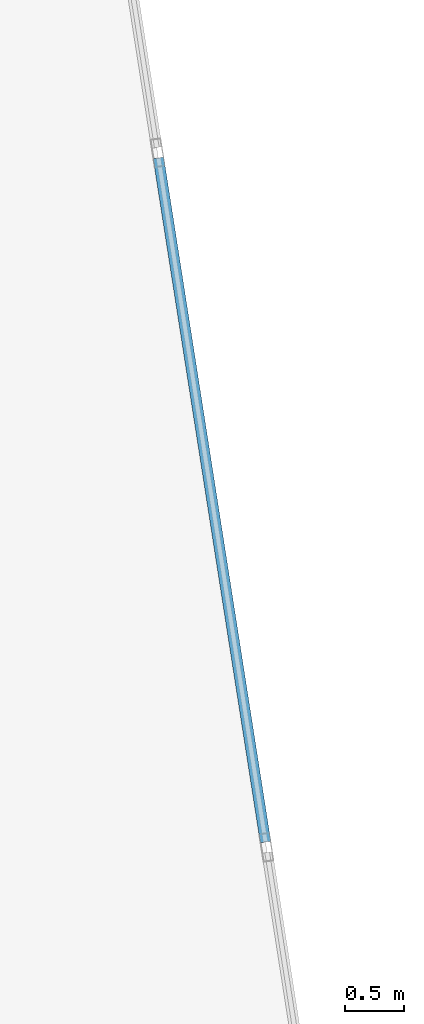
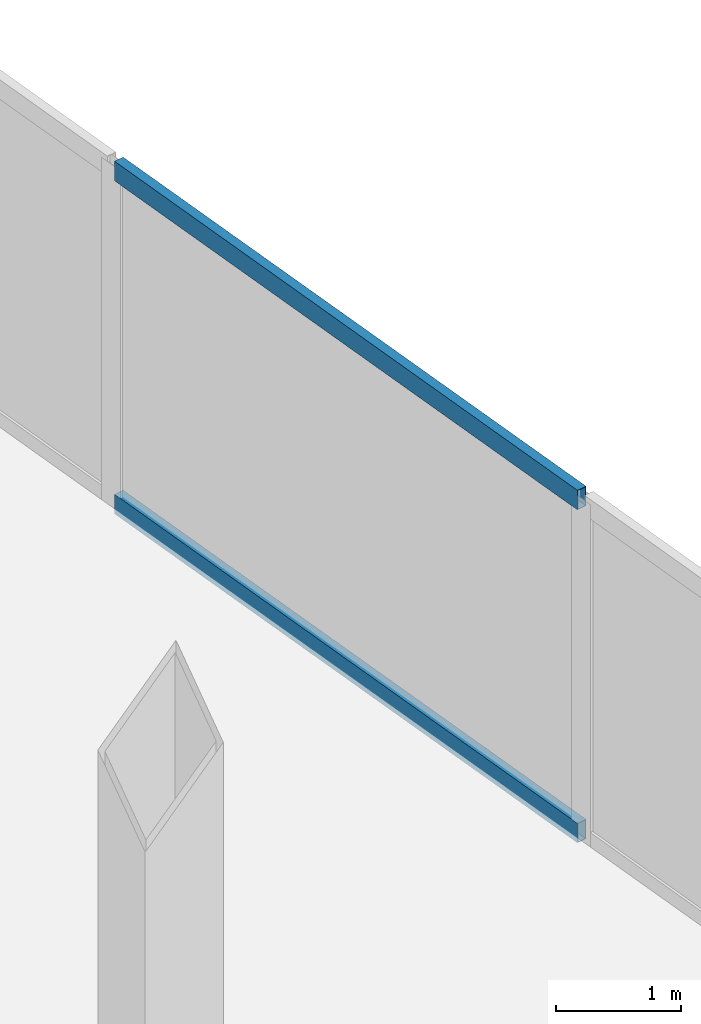
# One storey, part 8 of 17: 2 members, 1 element without a shape of its own.
"""IFC4 building model written with IfcOpenShell, lengths in metres."""

import ifcopenshell
import ifcopenshell.guid

model = None  # the IFC model being written
_history = None  # IfcOwnerHistory: only IFC2X3 demands one
_inside = {}  # id of a spatial element -> (the spatial element, [elements in it])
_under = {}  # id of a project, library or spatial element -> (it, [spatial elements below it])
_declared = {}  # id of a project -> (the project, [libraries it declares])
_typed = {}  # id of a type object -> (the type object, [elements of that type])
_made_of = {}  # id of a material, layer set ... -> (it, [elements and type objects made of it])


def new_model(schema):
    """Start an empty IFC model of exactly this schema.

    Asked for "IFC4X3", IfcOpenShell would pick the latest addendum, in which some entities
    have other attributes; the version numbers below select the first issue.
    IFC2X3 requires an IfcOwnerHistory on every rooted entity: one is made here for all.
    """
    global model, _history
    if schema == "IFC4X3":
        model = ifcopenshell.file(schema_version=(4, 3, 0, 0))
    else:
        model = ifcopenshell.file(schema=schema)
    _inside.clear()
    _under.clear()
    _declared.clear()
    _typed.clear()
    _made_of.clear()
    _history = None
    if model.schema == "IFC2X3":
        org = make("IfcOrganization", Name="unknown")
        user = make(
            "IfcPersonAndOrganization",
            ThePerson=make("IfcPerson", FamilyName="unknown"),
            TheOrganization=org,
        )
        app = make(
            "IfcApplication",
            ApplicationDeveloper=org,
            Version="unknown",
            ApplicationFullName="unknown",
            ApplicationIdentifier="unknown",
        )
        _history = make(
            "IfcOwnerHistory",
            OwningUser=user,
            OwningApplication=app,
            ChangeAction="ADDED",
            CreationDate=0,
        )
    return model


def make(cls, **values):
    """One entity of the class cls with the attributes given. An attribute that is None is left unset."""
    return model.create_entity(
        cls, **{name: value for name, value in values.items() if value is not None}
    )


def rooted(cls, **values):
    """An entity with a GlobalId (a new one), such as an element, a storey or a relation."""
    return make(cls, GlobalId=ifcopenshell.guid.new(), OwnerHistory=_history, **values)


def si_unit(unit_type, name, prefix=None):
    """IfcSIUnit, for example si_unit("LENGTHUNIT", "METRE", prefix="MILLI")."""
    return make("IfcSIUnit", UnitType=unit_type, Prefix=prefix, Name=name)


def assignment(units):
    """IfcUnitAssignment: the units of a project."""
    return None if units is None else make("IfcUnitAssignment", Units=units)


def point(xyz):
    """IfcCartesianPoint."""
    return None if xyz is None else make("IfcCartesianPoint", Coordinates=xyz)


def direction(xyz):
    """IfcDirection."""
    return None if xyz is None else make("IfcDirection", DirectionRatios=xyz)


def frame(location, z_axis=None, x_axis=None):
    """IfcAxis2Placement3D, a coordinate frame: its origin and axes. An axis left out is left unset."""
    return make(
        "IfcAxis2Placement3D",
        Location=point(location),
        Axis=direction(z_axis),
        RefDirection=direction(x_axis),
    )


def frame_2d(location, x_axis=None):
    """IfcAxis2Placement2D, a coordinate frame in the plane: its origin and x axis."""
    return make(
        "IfcAxis2Placement2D", Location=point(location), RefDirection=direction(x_axis)
    )


def origin():
    """The frame at (0, 0, 0) with its axes left unset."""
    return frame((0.0, 0.0, 0.0))


def origin_2d():
    """The frame at (0, 0) in the plane with its x axis left unset."""
    return frame_2d((0.0, 0.0))


def place(relative_to, where):
    """IfcLocalPlacement: puts the frame where relative to a parent placement (None: the world)."""
    return make(
        "IfcLocalPlacement", PlacementRelTo=relative_to, RelativePlacement=where
    )


def context(
    kind, dimensions, precision=None, world=None, true_north=None, identifier=None
):
    """IfcGeometricRepresentationContext, for example the 3D "Model" context."""
    return make(
        "IfcGeometricRepresentationContext",
        ContextIdentifier=identifier,
        ContextType=kind,
        CoordinateSpaceDimension=dimensions,
        Precision=precision,
        WorldCoordinateSystem=world,
        TrueNorth=true_north,
    )


def subcontext(parent, identifier, kind, view, scale=None):
    """IfcGeometricRepresentationSubContext, for example "Body" below "Model"."""
    return make(
        "IfcGeometricRepresentationSubContext",
        ContextIdentifier=identifier,
        ContextType=kind,
        ParentContext=parent,
        TargetScale=scale,
        TargetView=view,
    )


def project(units=None, contexts=None):
    """IfcProject with its units and contexts."""
    return rooted(
        "IfcProject",
        Name="project",
        RepresentationContexts=contexts,
        UnitsInContext=assignment(units),
    )


def spatial(cls, under=None, at=None, **own):
    """A site, building, storey or space (cls), placed at a placement, below another one or the project."""
    s = rooted(cls, ObjectPlacement=at, **own)
    if under is not None:
        _under.setdefault(under.id(), (under, []))[1].append(s)
    return s


def profile(cls, at=None, kind="AREA", **sizes):
    """A parametric profile (cls). Its sizes go by their IFC names, for example OverallWidth=200.0."""
    return make(cls, ProfileType=kind, Position=at, **sizes)


def hollow_rectangle(**sizes):
    """IfcRectangleHollowProfileDef."""
    return profile("IfcRectangleHollowProfileDef", **sizes)


def extrude(swept, where, along, depth):
    """IfcExtrudedAreaSolid: the profile swept, set in the frame where, extruded along a direction by depth."""
    return make(
        "IfcExtrudedAreaSolid",
        SweptArea=swept,
        Position=where,
        ExtrudedDirection=direction(along),
        Depth=depth,
    )


def shape(context_of_items, identifier, shape_type, items):
    """IfcShapeRepresentation: the items that make up one representation, for example the "Body"."""
    return make(
        "IfcShapeRepresentation",
        ContextOfItems=context_of_items,
        RepresentationIdentifier=identifier,
        RepresentationType=shape_type,
        Items=items,
    )


def material(Name=None, Category=None):
    """IfcMaterial."""
    return make("IfcMaterial", Name=Name, Category=Category)


def material_profile(
    of_material, cross_section, Name=None, Category=None, Priority=None
):
    """IfcMaterialProfile: a cross section and its material."""
    return make(
        "IfcMaterialProfile",
        Name=Name,
        Material=of_material,
        Profile=cross_section,
        Priority=Priority,
        Category=Category,
    )


def profile_set(profiles, Name=None, composite=None):
    """IfcMaterialProfileSet."""
    return make(
        "IfcMaterialProfileSet",
        Name=Name,
        MaterialProfiles=profiles,
        CompositeProfile=composite,
    )


def made_of(thing, what):
    """Note that an element or type object is made of a material, layer set ...; save() writes the relation."""
    if what is not None:
        _made_of.setdefault(what.id(), (what, []))[1].append(thing)
    return thing


def type_object(cls, material=None, **own):
    """A type object (cls), such as IfcWallType, which elements share."""
    return made_of(rooted(cls, **own), material)


def element(
    cls,
    number,
    at=None,
    inside=None,
    cuts=None,
    type_object=None,
    material=None,
    context=None,
    identifier="Body",
    shape_type=None,
    held_by="IfcProductDefinitionShape",
    body=None,
    shapes=None,
    **own,
):
    """One element of the class cls, such as IfcWall. Its Tag is "e" and its number.

    at: its placement. inside: the storey or other place that contains it. cuts: it is an
    opening in that element (IfcRelVoidsElement). A single representation is given by context,
    identifier, shape_type and body (its items); several are given by shapes. held_by: the class
    of the entity that holds the representations. save() writes the other relations.
    """
    e = rooted(cls, Tag="e%d" % number, ObjectPlacement=at, **own)
    if body is not None:
        shapes = [shape(context, identifier, shape_type, body)]
    if shapes is not None:
        e.Representation = make(held_by, Representations=shapes)
    if inside is not None:
        _inside.setdefault(inside.id(), (inside, []))[1].append(e)
    if cuts is not None:
        rooted(
            "IfcRelVoidsElement", RelatingBuildingElement=cuts, RelatedOpeningElement=e
        )
    if type_object is not None:
        _typed.setdefault(type_object.id(), (type_object, []))[1].append(e)
    return made_of(e, material)


def aggregate(whole, parts):
    """IfcRelAggregates: a whole, such as a stair, and the parts it consists of."""
    return rooted("IfcRelAggregates", RelatingObject=whole, RelatedObjects=parts)


def save(model, path):
    """Write the relations noted so far, then the file.

    IfcRelAggregates (storeys below a building ...), IfcRelContainedInSpatialStructure (elements
    in a storey), IfcRelDefinesByType, IfcRelAssociatesMaterial and IfcRelDeclares: one each for
    every whole, place, type object, material and project.
    """
    for whole, parts in _under.values():
        aggregate(whole, parts)
    for where, things in _inside.values():
        rooted(
            "IfcRelContainedInSpatialStructure",
            RelatedElements=things,
            RelatingStructure=where,
        )
    for kind, things in _typed.values():
        rooted("IfcRelDefinesByType", RelatedObjects=things, RelatingType=kind)
    for what, things in _made_of.values():
        rooted("IfcRelAssociatesMaterial", RelatedObjects=things, RelatingMaterial=what)
    for by, libraries in _declared.values():
        rooted("IfcRelDeclares", RelatingContext=by, RelatedDefinitions=libraries)
    model.write(path)


model = new_model("IFC4")

# Units and contexts
model_context = context("Model", 3, precision=1e-05, world=origin(), true_north=direction((0.0, 1.0)))
body_context = subcontext(model_context, "Body", "Model", "MODEL_VIEW")
ifc_project = project(units=[si_unit("LENGTHUNIT", "METRE"), si_unit("AREAUNIT", "SQUARE_METRE"), si_unit("VOLUMEUNIT", "CUBIC_METRE"), si_unit("PLANEANGLEUNIT", "RADIAN"), si_unit("MASSUNIT", "GRAM", prefix="KILO")], contexts=[model_context])

# Site, building, storey
site_placement = place(None, origin())
site = spatial("IfcSite", under=ifc_project, at=site_placement, CompositionType="ELEMENT")
building_placement = place(site_placement, origin())
building = spatial("IfcBuilding", under=site, at=building_placement, Name="Haldenkirk Collegiate Tower", CompositionType="ELEMENT")
storey_placement = place(building_placement, frame((0.0, 0.0, 364.199951171875)))
storey = spatial("IfcBuildingStorey", under=building, at=storey_placement, Name="L92", CompositionType="ELEMENT", Elevation=364.199951171875)

# Curtain wall, members
ifc_material = material(Name="Anodised architectural bronze aluminium", Category="aluminium")
curtain_wall_type = type_object("IfcCurtainWallType", Name="CW-SYS6-CROWN", PredefinedType="USERDEFINED", material=ifc_material)
curtain_wall_placement = place(storey_placement, origin())
curtain_wall = element("IfcCurtainWall", 1, at=curtain_wall_placement, inside=storey, type_object=curtain_wall_type, Name="L92 Closed crown ring ceramic-fritted bronze screen curtain wall", ObjectType="UNITISED CURTAIN WALL", PredefinedType="USERDEFINED")
ifc_material_profile = material_profile(ifc_material, hollow_rectangle(XDim=0.090087890625, YDim=0.18994140625, WallThickness=0.0048828125, at=origin_2d()), Name="CW-TRN-06")
ifc_profile_set = profile_set([ifc_material_profile], Name="Anodised architectural bronze aluminium")
member_type = type_object("IfcMemberType", Name="CW-TRN-06", PredefinedType="USERDEFINED", material=ifc_profile_set)
member_1_placement = place(storey_placement, frame((56.028564453125, 35.130126953125, 0.045166015625), z_axis=(0.154710174658, -0.987959898912, 0.0), x_axis=(0.987959898912, 0.154710174658, 0.0)))
member_1 = element("IfcMember", 2, at=member_1_placement, type_object=member_type, Name="CW-06 transom 3.1", ObjectType="TRANSOM", PredefinedType="USERDEFINED", context=body_context, shape_type="SweptSolid", body=[
    extrude(hollow_rectangle(XDim=0.090087890625, YDim=0.18994140625, WallThickness=0.0048828125, at=origin_2d()), origin(), (0.0, 0.0, 1.0), 5.876708984375),
])
member_2_placement = place(storey_placement, frame((56.028564453125, 35.130126953125, 3.28515625), z_axis=(0.154710174658, -0.987959898912, 0.0), x_axis=(0.987959898912, 0.154710174658, 0.0)))
member_2 = element("IfcMember", 3, at=member_2_placement, type_object=member_type, Name="CW-06 transom 3.2", ObjectType="TRANSOM", PredefinedType="USERDEFINED", context=body_context, shape_type="SweptSolid", body=[
    extrude(hollow_rectangle(XDim=0.090087890625, YDim=0.18994140625, WallThickness=0.0048828125, at=origin_2d()), origin(), (0.0, 0.0, 1.0), 5.876708984375),
])
aggregate(curtain_wall, [member_1, member_2])

save(model, "model.ifc")
